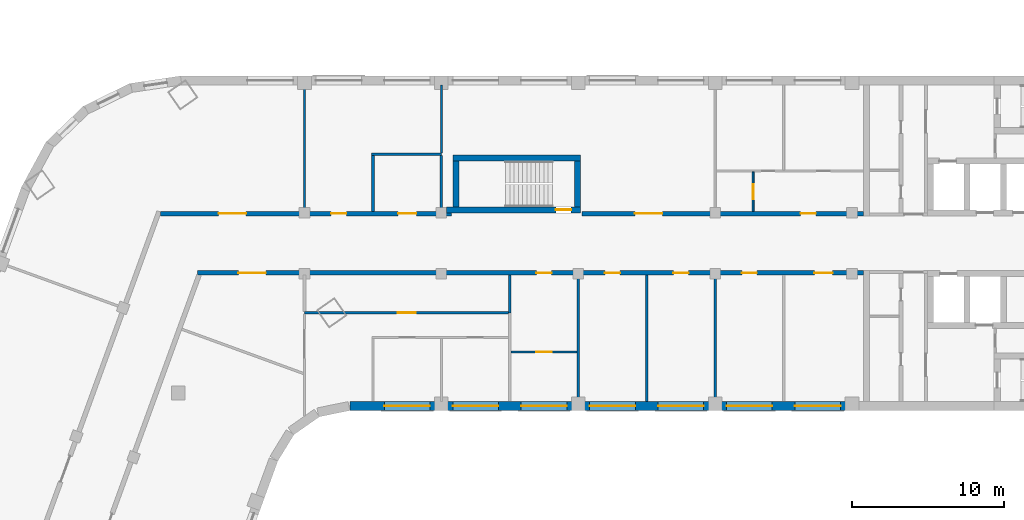
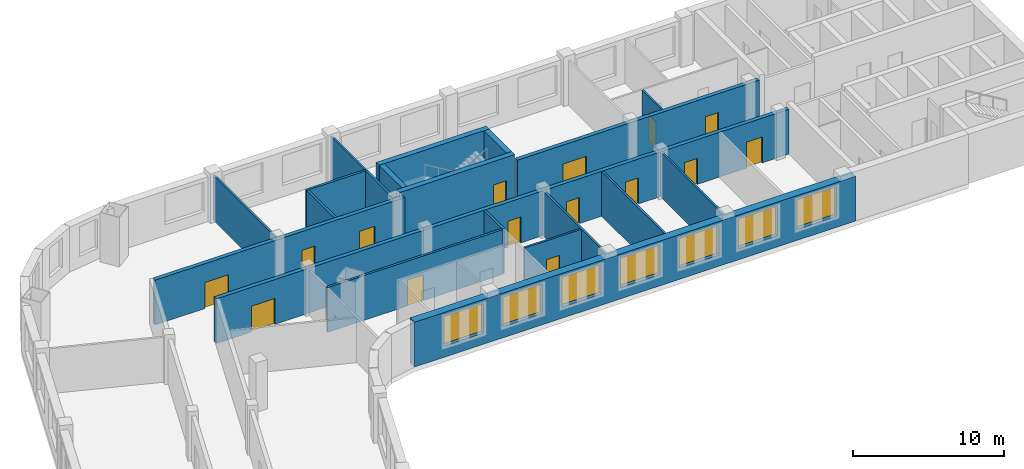
# One storey, part 4 of 12: 20 walls, 15 doors, 7 windows, 22 openings.
"""IFC4 building model written with IfcOpenShell, lengths in metres."""

import ifcopenshell
import ifcopenshell.guid

model = None  # the IFC model being written
_history = None  # IfcOwnerHistory: only IFC2X3 demands one
_inside = {}  # id of a spatial element -> (the spatial element, [elements in it])
_under = {}  # id of a project, library or spatial element -> (it, [spatial elements below it])
_declared = {}  # id of a project -> (the project, [libraries it declares])
_typed = {}  # id of a type object -> (the type object, [elements of that type])
_made_of = {}  # id of a material, layer set ... -> (it, [elements and type objects made of it])


def new_model(schema):
    """Start an empty IFC model of exactly this schema.

    Asked for "IFC4X3", IfcOpenShell would pick the latest addendum, in which some entities
    have other attributes; the version numbers below select the first issue.
    IFC2X3 requires an IfcOwnerHistory on every rooted entity: one is made here for all.
    """
    global model, _history
    if schema == "IFC4X3":
        model = ifcopenshell.file(schema_version=(4, 3, 0, 0))
    else:
        model = ifcopenshell.file(schema=schema)
    _inside.clear()
    _under.clear()
    _declared.clear()
    _typed.clear()
    _made_of.clear()
    _history = None
    if model.schema == "IFC2X3":
        org = make("IfcOrganization", Name="unknown")
        user = make(
            "IfcPersonAndOrganization",
            ThePerson=make("IfcPerson", FamilyName="unknown"),
            TheOrganization=org,
        )
        app = make(
            "IfcApplication",
            ApplicationDeveloper=org,
            Version="unknown",
            ApplicationFullName="unknown",
            ApplicationIdentifier="unknown",
        )
        _history = make(
            "IfcOwnerHistory",
            OwningUser=user,
            OwningApplication=app,
            ChangeAction="ADDED",
            CreationDate=0,
        )
    return model


def make(cls, **values):
    """One entity of the class cls with the attributes given. An attribute that is None is left unset."""
    return model.create_entity(
        cls, **{name: value for name, value in values.items() if value is not None}
    )


def rooted(cls, **values):
    """An entity with a GlobalId (a new one), such as an element, a storey or a relation."""
    return make(cls, GlobalId=ifcopenshell.guid.new(), OwnerHistory=_history, **values)


def si_unit(unit_type, name, prefix=None):
    """IfcSIUnit, for example si_unit("LENGTHUNIT", "METRE", prefix="MILLI")."""
    return make("IfcSIUnit", UnitType=unit_type, Prefix=prefix, Name=name)


def assignment(units):
    """IfcUnitAssignment: the units of a project."""
    return None if units is None else make("IfcUnitAssignment", Units=units)


def point(xyz):
    """IfcCartesianPoint."""
    return None if xyz is None else make("IfcCartesianPoint", Coordinates=xyz)


def direction(xyz):
    """IfcDirection."""
    return None if xyz is None else make("IfcDirection", DirectionRatios=xyz)


def frame(location, z_axis=None, x_axis=None):
    """IfcAxis2Placement3D, a coordinate frame: its origin and axes. An axis left out is left unset."""
    return make(
        "IfcAxis2Placement3D",
        Location=point(location),
        Axis=direction(z_axis),
        RefDirection=direction(x_axis),
    )


def frame_2d(location, x_axis=None):
    """IfcAxis2Placement2D, a coordinate frame in the plane: its origin and x axis."""
    return make(
        "IfcAxis2Placement2D", Location=point(location), RefDirection=direction(x_axis)
    )


def origin():
    """The frame at (0, 0, 0) with its axes left unset."""
    return frame((0.0, 0.0, 0.0))


def place(relative_to, where):
    """IfcLocalPlacement: puts the frame where relative to a parent placement (None: the world)."""
    return make(
        "IfcLocalPlacement", PlacementRelTo=relative_to, RelativePlacement=where
    )


def context(
    kind, dimensions, precision=None, world=None, true_north=None, identifier=None
):
    """IfcGeometricRepresentationContext, for example the 3D "Model" context."""
    return make(
        "IfcGeometricRepresentationContext",
        ContextIdentifier=identifier,
        ContextType=kind,
        CoordinateSpaceDimension=dimensions,
        Precision=precision,
        WorldCoordinateSystem=world,
        TrueNorth=true_north,
    )


def subcontext(parent, identifier, kind, view, scale=None):
    """IfcGeometricRepresentationSubContext, for example "Body" below "Model"."""
    return make(
        "IfcGeometricRepresentationSubContext",
        ContextIdentifier=identifier,
        ContextType=kind,
        ParentContext=parent,
        TargetScale=scale,
        TargetView=view,
    )


def project(units=None, contexts=None):
    """IfcProject with its units and contexts."""
    return rooted(
        "IfcProject",
        Name="project",
        RepresentationContexts=contexts,
        UnitsInContext=assignment(units),
    )


def spatial(cls, under=None, at=None, **own):
    """A site, building, storey or space (cls), placed at a placement, below another one or the project."""
    s = rooted(cls, ObjectPlacement=at, **own)
    if under is not None:
        _under.setdefault(under.id(), (under, []))[1].append(s)
    return s


def profile(cls, at=None, kind="AREA", **sizes):
    """A parametric profile (cls). Its sizes go by their IFC names, for example OverallWidth=200.0."""
    return make(cls, ProfileType=kind, Position=at, **sizes)


def rectangle(**sizes):
    """IfcRectangleProfileDef."""
    return profile("IfcRectangleProfileDef", **sizes)


def extrude(swept, where, along, depth):
    """IfcExtrudedAreaSolid: the profile swept, set in the frame where, extruded along a direction by depth."""
    return make(
        "IfcExtrudedAreaSolid",
        SweptArea=swept,
        Position=where,
        ExtrudedDirection=direction(along),
        Depth=depth,
    )


def shape(context_of_items, identifier, shape_type, items):
    """IfcShapeRepresentation: the items that make up one representation, for example the "Body"."""
    return make(
        "IfcShapeRepresentation",
        ContextOfItems=context_of_items,
        RepresentationIdentifier=identifier,
        RepresentationType=shape_type,
        Items=items,
    )


def material(Name=None, Category=None):
    """IfcMaterial."""
    return make("IfcMaterial", Name=Name, Category=Category)


def layer(
    of_material, thickness, ventilated=None, Name=None, Category=None, Priority=None
):
    """IfcMaterialLayer: one layer of a wall or slab, of a material (None: an air gap)."""
    return make(
        "IfcMaterialLayer",
        Material=of_material,
        LayerThickness=thickness,
        IsVentilated=ventilated,
        Name=Name,
        Category=Category,
        Priority=Priority,
    )


def layer_set(layers, Name=None):
    """IfcMaterialLayerSet."""
    return make("IfcMaterialLayerSet", MaterialLayers=layers, LayerSetName=Name)


def made_of(thing, what):
    """Note that an element or type object is made of a material, layer set ...; save() writes the relation."""
    if what is not None:
        _made_of.setdefault(what.id(), (what, []))[1].append(thing)
    return thing


def type_object(cls, material=None, **own):
    """A type object (cls), such as IfcWallType, which elements share."""
    return made_of(rooted(cls, **own), material)


def element(
    cls,
    number,
    at=None,
    inside=None,
    cuts=None,
    type_object=None,
    material=None,
    context=None,
    identifier="Body",
    shape_type=None,
    held_by="IfcProductDefinitionShape",
    body=None,
    shapes=None,
    **own,
):
    """One element of the class cls, such as IfcWall. Its Tag is "e" and its number.

    at: its placement. inside: the storey or other place that contains it. cuts: it is an
    opening in that element (IfcRelVoidsElement). A single representation is given by context,
    identifier, shape_type and body (its items); several are given by shapes. held_by: the class
    of the entity that holds the representations. save() writes the other relations.
    """
    e = rooted(cls, Tag="e%d" % number, ObjectPlacement=at, **own)
    if body is not None:
        shapes = [shape(context, identifier, shape_type, body)]
    if shapes is not None:
        e.Representation = make(held_by, Representations=shapes)
    if inside is not None:
        _inside.setdefault(inside.id(), (inside, []))[1].append(e)
    if cuts is not None:
        rooted(
            "IfcRelVoidsElement", RelatingBuildingElement=cuts, RelatedOpeningElement=e
        )
    if type_object is not None:
        _typed.setdefault(type_object.id(), (type_object, []))[1].append(e)
    return made_of(e, material)


def fill(opening, filler):
    """IfcRelFillsElement: the door or window that sits in an opening."""
    return rooted(
        "IfcRelFillsElement",
        RelatingOpeningElement=opening,
        RelatedBuildingElement=filler,
    )


def aggregate(whole, parts):
    """IfcRelAggregates: a whole, such as a stair, and the parts it consists of."""
    return rooted("IfcRelAggregates", RelatingObject=whole, RelatedObjects=parts)


def save(model, path):
    """Write the relations noted so far, then the file.

    IfcRelAggregates (storeys below a building ...), IfcRelContainedInSpatialStructure (elements
    in a storey), IfcRelDefinesByType, IfcRelAssociatesMaterial and IfcRelDeclares: one each for
    every whole, place, type object, material and project.
    """
    for whole, parts in _under.values():
        aggregate(whole, parts)
    for where, things in _inside.values():
        rooted(
            "IfcRelContainedInSpatialStructure",
            RelatedElements=things,
            RelatingStructure=where,
        )
    for kind, things in _typed.values():
        rooted("IfcRelDefinesByType", RelatedObjects=things, RelatingType=kind)
    for what, things in _made_of.values():
        rooted("IfcRelAssociatesMaterial", RelatedObjects=things, RelatingMaterial=what)
    for by, libraries in _declared.values():
        rooted("IfcRelDeclares", RelatingContext=by, RelatedDefinitions=libraries)
    model.write(path)


model = new_model("IFC4")

# Units and contexts
model_context = context("Model", 3, precision=1e-05, world=origin(), true_north=direction((0.0, 1.0)))
body_context = subcontext(model_context, "Body", "Model", "MODEL_VIEW")
ifc_project = project(units=[si_unit("LENGTHUNIT", "METRE"), si_unit("AREAUNIT", "SQUARE_METRE"), si_unit("VOLUMEUNIT", "CUBIC_METRE"), si_unit("PLANEANGLEUNIT", "RADIAN"), si_unit("MASSUNIT", "GRAM", prefix="KILO")], contexts=[model_context])

# Site, building, storey
site_placement = place(None, origin())
site = spatial("IfcSite", under=ifc_project, at=site_placement, CompositionType="ELEMENT")
building_placement = place(site_placement, origin())
building = spatial("IfcBuilding", under=site, at=building_placement, Name="Skarvind Civic Tower", CompositionType="ELEMENT")
storey_placement = place(building_placement, frame((0.0, 0.0, 71.5)))
storey = spatial("IfcBuildingStorey", under=building, at=storey_placement, Name="L16", CompositionType="ELEMENT", Elevation=71.5)

# Wall, opening, door
ifc_material_1 = material(Name="Acoustic gypsum board on steel studs", Category="steel")
ifc_layer_1 = layer(ifc_material_1, 0.175048828125)
ifc_layer_set_1 = layer_set([ifc_layer_1], Name="ACOUSTIC MEETING-ROOM PARTITION 175")
wall_type_1 = type_object("IfcWallType", Name="ACOUSTIC MEETING-ROOM PARTITION 175", PredefinedType="PARTITIONING", material=ifc_layer_set_1)
wall_1_placement = place(storey_placement, frame((54.25, 123.429931640625, 0.0), z_axis=(0.0, 0.0, 1.0), x_axis=(1.0, 0.0, 0.0)))
wall_1 = element("IfcWall", 1, at=wall_1_placement, inside=storey, type_object=wall_type_1, Name="Partition 16.010", PredefinedType="PARTITIONING", context=body_context, shape_type="SweptSolid", body=[
    extrude(rectangle(XDim=13.412109375, YDim=0.175048828125, at=frame_2d((6.7060546875, 0.0))), origin(), (0.0, 0.0, 1.0), 3.625),
])
opening_1_placement = place(wall_1_placement, frame((6.115966796875, 0.0, 0.0)))
opening_1 = element("IfcOpeningElement", 2, at=opening_1_placement, cuts=wall_1, Name="Opening L16-D022", PredefinedType="OPENING", context=body_context, shape_type="SweptSolid", body=[
    extrude(rectangle(XDim=1.199951171875, YDim=2.10009765625, at=frame_2d((0.60009765625, 1.050048828125))), frame((0.0, 0.097412109375, 0.0), z_axis=(0.0, -1.0, 0.0), x_axis=(1.0, 0.0, 0.0)), (0.0, 0.0, 1.0), 0.195068359375),
])
ifc_material_2 = material(Name="Timber door leaf", Category="wood")
door_type_1 = type_object("IfcDoorType", Name="DOOR 1200X2100 DOUBLE TIMBER", OperationType="NOTDEFINED", PredefinedType="DOOR", material=ifc_material_2)
door_1_placement = place(opening_1_placement, origin())
door_1 = element("IfcDoor", 3, at=door_1_placement, inside=storey, type_object=door_type_1, Name="Door L16-D022", OperationType="DOUBLE_DOOR_SINGLE_SWING", OverallHeight=2.10009765625, OverallWidth=1.199951171875, PredefinedType="DOOR", context=body_context, shape_type="SweptSolid", body=[
    extrude(rectangle(XDim=1.199951171875, YDim=2.10009765625, at=frame_2d((0.60009765625, 1.050048828125))), frame((0.0, 0.02490234375, 0.0), z_axis=(0.0, -1.0, 0.0), x_axis=(1.0, 0.0, 0.0)), (0.0, 0.0, 1.0), 0.050048828125),
])
fill(opening_1, door_1)

# Walls
wall_2_placement = place(storey_placement, frame((58.75, 130.10009765625, 0.0), z_axis=(0.0, 0.0, 1.0), x_axis=(0.0, 1.0, 0.0)))
element("IfcWall", 4, at=wall_2_placement, inside=storey, type_object=wall_type_1, Name="Partition 16.014", PredefinedType="PARTITIONING", context=body_context, shape_type="SweptSolid", body=[
    extrude(rectangle(XDim=3.661865234375, YDim=0.175048828125, at=frame_2d((1.8310546875, 0.0))), origin(), (0.0, 0.0, 1.0), 3.625),
])
wall_3_placement = place(storey_placement, frame((58.662109375, 133.85009765625, 0.0), z_axis=(0.0, 0.0, 1.0), x_axis=(1.0, 0.0, 0.0)))
element("IfcWall", 5, at=wall_3_placement, inside=storey, type_object=wall_type_1, Name="Partition 16.015", PredefinedType="PARTITIONING", context=body_context, shape_type="SweptSolid", body=[
    extrude(rectangle(XDim=4.587890625, YDim=0.175048828125, at=frame_2d((2.2939453125, 0.0))), origin(), (0.0, 0.0, 1.0), 3.625),
])
wall_4_placement = place(storey_placement, frame((63.25, 130.10009765625, 0.0), z_axis=(0.0, 0.0, 1.0), x_axis=(0.0, 1.0, 0.0)))
element("IfcWall", 6, at=wall_4_placement, inside=storey, type_object=wall_type_1, Name="Partition 16.017", PredefinedType="PARTITIONING", context=body_context, shape_type="SweptSolid", body=[
    extrude(rectangle(XDim=3.677978515625, YDim=0.175048828125, at=frame_2d((1.8388671875, 0.0))), origin(), (0.0, 0.0, 1.0), 3.625),
])
wall_5_placement = place(storey_placement, frame((67.75, 123.429931640625, 0.0), z_axis=(0.0, 0.0, 1.0), x_axis=(0.0, 1.0, 0.0)))
element("IfcWall", 7, at=wall_5_placement, inside=storey, type_object=wall_type_1, Name="Partition 16.021", PredefinedType="PARTITIONING", context=body_context, shape_type="SweptSolid", body=[
    extrude(rectangle(XDim=2.469970703125, YDim=0.175048828125, at=frame_2d((1.23486328125, 0.0))), origin(), (0.0, 0.0, 1.0), 3.625),
])

# Wall, openings, doors
ifc_material_3 = material(Name="Fire-rated gypsum board on steel studs", Category="steel")
ifc_layer_2 = layer(ifc_material_3, 0.300048828125)
ifc_layer_set_2 = layer_set([ifc_layer_2], Name="CORRIDOR WALL 300")
wall_type_2 = type_object("IfcWallType", Name="CORRIDOR WALL 300", PredefinedType="PARTITIONING", material=ifc_layer_set_2)
wall_6_placement = place(storey_placement, frame((44.784912109375, 129.949951171875, 0.0), z_axis=(0.0, 0.0, 1.0), x_axis=(1.0, 0.0, 0.0)))
wall_6 = element("IfcWall", 8, at=wall_6_placement, inside=storey, type_object=wall_type_2, Name="Partition 16.005", PredefinedType="PARTITIONING", context=body_context, shape_type="SweptSolid", body=[
    extrude(rectangle(XDim=19.114990234375, YDim=0.300048828125, at=frame_2d((9.5576171875, 0.0))), origin(), (0.0, 0.0, 1.0), 3.625),
])
opening_2_placement = place(wall_6_placement, frame((15.614990234375, 0.0, 0.0)))
opening_2 = element("IfcOpeningElement", 9, at=opening_2_placement, cuts=wall_6, Name="Opening L16-D006", PredefinedType="OPENING", context=body_context, shape_type="SweptSolid", body=[
    extrude(rectangle(XDim=1.199951171875, YDim=2.10009765625, at=frame_2d((0.60009765625, 1.050048828125))), frame((0.0, 0.159912109375, 0.0), z_axis=(0.0, -1.0, 0.0), x_axis=(1.0, 0.0, 0.0)), (0.0, 0.0, 1.0), 0.320068359375),
])
opening_3_placement = place(wall_6_placement, frame((11.215087890625, 0.0, 0.0)))
opening_3 = element("IfcOpeningElement", 10, at=opening_3_placement, cuts=wall_6, Name="Opening L16-D007", PredefinedType="OPENING", context=body_context, shape_type="SweptSolid", body=[
    extrude(rectangle(XDim=1.0, YDim=2.10009765625, at=frame_2d((0.5, 1.050048828125))), frame((0.0, 0.159912109375, 0.0), z_axis=(0.0, -1.0, 0.0), x_axis=(1.0, 0.0, 0.0)), (0.0, 0.0, 1.0), 0.320068359375),
])
opening_4_placement = place(wall_6_placement, frame((3.822509765625, 0.0, 0.0)))
opening_4 = element("IfcOpeningElement", 11, at=opening_4_placement, cuts=wall_6, Name="Opening L16-D020", PredefinedType="OPENING", context=body_context, shape_type="SweptSolid", body=[
    extrude(rectangle(XDim=1.800048828125, YDim=2.10009765625, at=frame_2d((0.89990234375, 1.050048828125))), frame((0.0, 0.159912109375, 0.0), z_axis=(0.0, -1.0, 0.0), x_axis=(1.0, 0.0, 0.0)), (0.0, 0.0, 1.0), 0.320068359375),
])
ifc_material_4 = material(Name="Fire-rated timber door leaf", Category="wood")
door_type_2 = type_object("IfcDoorType", Name="FD1 1000x2100", OperationType="NOTDEFINED", PredefinedType="DOOR", material=ifc_material_4)
door_2_placement = place(opening_3_placement, origin())
door_2 = element("IfcDoor", 12, at=door_2_placement, inside=storey, type_object=door_type_2, Name="Door L16-D007", OperationType="SINGLE_SWING_LEFT", OverallHeight=2.10009765625, OverallWidth=1.0, PredefinedType="DOOR", context=body_context, shape_type="SweptSolid", body=[
    extrude(rectangle(XDim=1.0, YDim=2.10009765625, at=frame_2d((0.5, 1.050048828125))), frame((0.0, 0.02490234375, 0.0), z_axis=(0.0, -1.0, 0.0), x_axis=(1.0, 0.0, 0.0)), (0.0, 0.0, 1.0), 0.050048828125),
])
fill(opening_3, door_2)
door_type_3 = type_object("IfcDoorType", Name="FD4 1800x2100", OperationType="NOTDEFINED", PredefinedType="DOOR", material=ifc_material_4)
door_3_placement = place(opening_4_placement, origin())
door_3 = element("IfcDoor", 13, at=door_3_placement, inside=storey, type_object=door_type_3, Name="Door L16-D020", OperationType="DOUBLE_DOOR_SINGLE_SWING", OverallHeight=2.10009765625, OverallWidth=1.800048828125, PredefinedType="DOOR", context=body_context, shape_type="SweptSolid", body=[
    extrude(rectangle(XDim=1.800048828125, YDim=2.10009765625, at=frame_2d((0.89990234375, 1.050048828125))), frame((0.0, 0.02490234375, 0.0), z_axis=(0.0, -1.0, 0.0), x_axis=(1.0, 0.0, 0.0)), (0.0, 0.0, 1.0), 0.050048828125),
])
fill(opening_4, door_3)
door_type_4 = type_object("IfcDoorType", Name="FD6 1200x2100 DOUBLE", OperationType="NOTDEFINED", PredefinedType="DOOR", material=ifc_material_4)
door_4_placement = place(opening_2_placement, origin())
door_4 = element("IfcDoor", 14, at=door_4_placement, inside=storey, type_object=door_type_4, Name="Door L16-D006", OperationType="DOUBLE_DOOR_SINGLE_SWING", OverallHeight=2.10009765625, OverallWidth=1.199951171875, PredefinedType="DOOR", context=body_context, shape_type="SweptSolid", body=[
    extrude(rectangle(XDim=1.199951171875, YDim=2.10009765625, at=frame_2d((0.60009765625, 1.050048828125))), frame((0.0, 0.02490234375, 0.0), z_axis=(0.0, -1.0, 0.0), x_axis=(1.0, 0.0, 0.0)), (0.0, 0.0, 1.0), 0.050048828125),
])
fill(opening_2, door_4)

wall_7_placement = place(storey_placement, frame((72.5, 129.949951171875, 0.0), z_axis=(0.0, 0.0, 1.0), x_axis=(1.0, 0.0, 0.0)))
wall_7 = element("IfcWall", 15, at=wall_7_placement, inside=storey, type_object=wall_type_2, Name="Partition 16.023", PredefinedType="PARTITIONING", context=body_context, shape_type="SweptSolid", body=[
    extrude(rectangle(XDim=18.5, YDim=0.300048828125, at=frame_2d((9.25, 0.0))), origin(), (0.0, 0.0, 1.0), 3.625),
])
opening_5_placement = place(wall_7_placement, frame((14.375, 0.0, 0.0)))
opening_5 = element("IfcOpeningElement", 16, at=opening_5_placement, cuts=wall_7, Name="Opening L16-D001", PredefinedType="OPENING", context=body_context, shape_type="SweptSolid", body=[
    extrude(rectangle(XDim=1.0, YDim=2.10009765625, at=frame_2d((0.5, 1.050048828125))), frame((0.0, 0.159912109375, 0.0), z_axis=(0.0, -1.0, 0.0), x_axis=(1.0, 0.0, 0.0)), (0.0, 0.0, 1.0), 0.320068359375),
])
opening_6_placement = place(wall_7_placement, frame((3.47509765625, 0.0, 0.0)))
opening_6 = element("IfcOpeningElement", 17, at=opening_6_placement, cuts=wall_7, Name="Opening L16-D005", PredefinedType="OPENING", context=body_context, shape_type="SweptSolid", body=[
    extrude(rectangle(XDim=1.800048828125, YDim=2.10009765625, at=frame_2d((0.89990234375, 1.050048828125))), frame((0.0, 0.159912109375, 0.0), z_axis=(0.0, -1.0, 0.0), x_axis=(1.0, 0.0, 0.0)), (0.0, 0.0, 1.0), 0.320068359375),
])
door_5_placement = place(opening_5_placement, origin())
door_5 = element("IfcDoor", 18, at=door_5_placement, inside=storey, type_object=door_type_2, Name="Door L16-D001", OperationType="SINGLE_SWING_LEFT", OverallHeight=2.10009765625, OverallWidth=1.0, PredefinedType="DOOR", context=body_context, shape_type="SweptSolid", body=[
    extrude(rectangle(XDim=1.0, YDim=2.10009765625, at=frame_2d((0.5, 1.050048828125))), frame((0.0, 0.02490234375, 0.0), z_axis=(0.0, -1.0, 0.0), x_axis=(1.0, 0.0, 0.0)), (0.0, 0.0, 1.0), 0.050048828125),
])
fill(opening_5, door_5)
door_6_placement = place(opening_6_placement, origin())
door_6 = element("IfcDoor", 19, at=door_6_placement, inside=storey, type_object=door_type_3, Name="Door L16-D005", OperationType="DOUBLE_DOOR_SINGLE_SWING", OverallHeight=2.10009765625, OverallWidth=1.800048828125, PredefinedType="DOOR", context=body_context, shape_type="SweptSolid", body=[
    extrude(rectangle(XDim=1.800048828125, YDim=2.10009765625, at=frame_2d((0.89990234375, 1.050048828125))), frame((0.0, 0.02490234375, 0.0), z_axis=(0.0, -1.0, 0.0), x_axis=(1.0, 0.0, 0.0)), (0.0, 0.0, 1.0), 0.050048828125),
])
fill(opening_6, door_6)

wall_8_placement = place(storey_placement, frame((91.0, 126.050048828125, 0.0), z_axis=(0.0, 0.0, 1.0), x_axis=(-1.0, 0.0, 0.0)))
wall_8 = element("IfcWall", 20, at=wall_8_placement, inside=storey, type_object=wall_type_2, Name="Partition 16.031", PredefinedType="PARTITIONING", context=body_context, shape_type="SweptSolid", body=[
    extrude(rectangle(XDim=43.784912109375, YDim=0.300048828125, at=frame_2d((21.892578125, 0.0))), origin(), (0.0, 0.0, 1.0), 3.625),
])
opening_7_placement = place(wall_8_placement, frame((2.02490234375, 0.0, 0.0)))
opening_7 = element("IfcOpeningElement", 21, at=opening_7_placement, cuts=wall_8, Name="Opening L16-D008", PredefinedType="OPENING", context=body_context, shape_type="SweptSolid", body=[
    extrude(rectangle(XDim=1.199951171875, YDim=2.10009765625, at=frame_2d((0.60009765625, 1.050048828125))), frame((0.0, 0.159912109375, 0.0), z_axis=(0.0, -1.0, 0.0), x_axis=(1.0, 0.0, 0.0)), (0.0, 0.0, 1.0), 0.320068359375),
])
opening_8_placement = place(wall_8_placement, frame((7.0, 0.0, 0.0)))
opening_8 = element("IfcOpeningElement", 22, at=opening_8_placement, cuts=wall_8, Name="Opening L16-D009", PredefinedType="OPENING", context=body_context, shape_type="SweptSolid", body=[
    extrude(rectangle(XDim=1.0, YDim=2.10009765625, at=frame_2d((0.5, 1.050048828125))), frame((0.0, 0.159912109375, 0.0), z_axis=(0.0, -1.0, 0.0), x_axis=(1.0, 0.0, 0.0)), (0.0, 0.0, 1.0), 0.320068359375),
])
opening_9_placement = place(wall_8_placement, frame((11.5, 0.0, 0.0)))
opening_9 = element("IfcOpeningElement", 23, at=opening_9_placement, cuts=wall_8, Name="Opening L16-D010", PredefinedType="OPENING", context=body_context, shape_type="SweptSolid", body=[
    extrude(rectangle(XDim=1.0, YDim=2.10009765625, at=frame_2d((0.5, 1.050048828125))), frame((0.0, 0.159912109375, 0.0), z_axis=(0.0, -1.0, 0.0), x_axis=(1.0, 0.0, 0.0)), (0.0, 0.0, 1.0), 0.320068359375),
])
opening_10_placement = place(wall_8_placement, frame((16.0, 0.0, 0.0)))
opening_10 = element("IfcOpeningElement", 24, at=opening_10_placement, cuts=wall_8, Name="Opening L16-D011", PredefinedType="OPENING", context=body_context, shape_type="SweptSolid", body=[
    extrude(rectangle(XDim=1.0, YDim=2.10009765625, at=frame_2d((0.5, 1.050048828125))), frame((0.0, 0.159912109375, 0.0), z_axis=(0.0, -1.0, 0.0), x_axis=(1.0, 0.0, 0.0)), (0.0, 0.0, 1.0), 0.320068359375),
])
opening_11_placement = place(wall_8_placement, frame((20.5, 0.0, 0.0)))
opening_11 = element("IfcOpeningElement", 25, at=opening_11_placement, cuts=wall_8, Name="Opening L16-D012", PredefinedType="OPENING", context=body_context, shape_type="SweptSolid", body=[
    extrude(rectangle(XDim=1.0, YDim=2.10009765625, at=frame_2d((0.5, 1.050048828125))), frame((0.0, 0.159912109375, 0.0), z_axis=(0.0, -1.0, 0.0), x_axis=(1.0, 0.0, 0.0)), (0.0, 0.0, 1.0), 0.320068359375),
])
opening_12_placement = place(wall_8_placement, frame((39.2958984375, 0.0, 0.0)))
opening_12 = element("IfcOpeningElement", 26, at=opening_12_placement, cuts=wall_8, Name="Opening L16-D021", PredefinedType="OPENING", context=body_context, shape_type="SweptSolid", body=[
    extrude(rectangle(XDim=1.800048828125, YDim=2.10009765625, at=frame_2d((0.89990234375, 1.050048828125))), frame((0.0, 0.159912109375, 0.0), z_axis=(0.0, -1.0, 0.0), x_axis=(1.0, 0.0, 0.0)), (0.0, 0.0, 1.0), 0.320068359375),
])
door_7_placement = place(opening_8_placement, origin())
door_7 = element("IfcDoor", 27, at=door_7_placement, inside=storey, type_object=door_type_2, Name="Door L16-D009", OperationType="SINGLE_SWING_RIGHT", OverallHeight=2.10009765625, OverallWidth=1.0, PredefinedType="DOOR", context=body_context, shape_type="SweptSolid", body=[
    extrude(rectangle(XDim=1.0, YDim=2.10009765625, at=frame_2d((0.5, 1.050048828125))), frame((0.0, 0.02490234375, 0.0), z_axis=(0.0, -1.0, 0.0), x_axis=(1.0, 0.0, 0.0)), (0.0, 0.0, 1.0), 0.050048828125),
])
fill(opening_8, door_7)
door_8_placement = place(opening_9_placement, origin())
door_8 = element("IfcDoor", 28, at=door_8_placement, inside=storey, type_object=door_type_2, Name="Door L16-D010", OperationType="SINGLE_SWING_LEFT", OverallHeight=2.10009765625, OverallWidth=1.0, PredefinedType="DOOR", context=body_context, shape_type="SweptSolid", body=[
    extrude(rectangle(XDim=1.0, YDim=2.10009765625, at=frame_2d((0.5, 1.050048828125))), frame((0.0, 0.02490234375, 0.0), z_axis=(0.0, -1.0, 0.0), x_axis=(1.0, 0.0, 0.0)), (0.0, 0.0, 1.0), 0.050048828125),
])
fill(opening_9, door_8)
door_9_placement = place(opening_10_placement, origin())
door_9 = element("IfcDoor", 29, at=door_9_placement, inside=storey, type_object=door_type_2, Name="Door L16-D011", OperationType="SINGLE_SWING_LEFT", OverallHeight=2.10009765625, OverallWidth=1.0, PredefinedType="DOOR", context=body_context, shape_type="SweptSolid", body=[
    extrude(rectangle(XDim=1.0, YDim=2.10009765625, at=frame_2d((0.5, 1.050048828125))), frame((0.0, 0.02490234375, 0.0), z_axis=(0.0, -1.0, 0.0), x_axis=(1.0, 0.0, 0.0)), (0.0, 0.0, 1.0), 0.050048828125),
])
fill(opening_10, door_9)
door_10_placement = place(opening_11_placement, origin())
door_10 = element("IfcDoor", 30, at=door_10_placement, inside=storey, type_object=door_type_2, Name="Door L16-D012", OperationType="SINGLE_SWING_LEFT", OverallHeight=2.10009765625, OverallWidth=1.0, PredefinedType="DOOR", context=body_context, shape_type="SweptSolid", body=[
    extrude(rectangle(XDim=1.0, YDim=2.10009765625, at=frame_2d((0.5, 1.050048828125))), frame((0.0, 0.02490234375, 0.0), z_axis=(0.0, -1.0, 0.0), x_axis=(1.0, 0.0, 0.0)), (0.0, 0.0, 1.0), 0.050048828125),
])
fill(opening_11, door_10)
door_11_placement = place(opening_12_placement, origin())
door_11 = element("IfcDoor", 31, at=door_11_placement, inside=storey, type_object=door_type_3, Name="Door L16-D021", OperationType="DOUBLE_DOOR_SINGLE_SWING", OverallHeight=2.10009765625, OverallWidth=1.800048828125, PredefinedType="DOOR", context=body_context, shape_type="SweptSolid", body=[
    extrude(rectangle(XDim=1.800048828125, YDim=2.10009765625, at=frame_2d((0.89990234375, 1.050048828125))), frame((0.0, 0.02490234375, 0.0), z_axis=(0.0, -1.0, 0.0), x_axis=(1.0, 0.0, 0.0)), (0.0, 0.0, 1.0), 0.050048828125),
])
fill(opening_12, door_11)
door_12_placement = place(opening_7_placement, origin())
door_12 = element("IfcDoor", 32, at=door_12_placement, inside=storey, type_object=door_type_4, Name="Door L16-D008", OperationType="DOUBLE_DOOR_SINGLE_SWING", OverallHeight=2.10009765625, OverallWidth=1.199951171875, PredefinedType="DOOR", context=body_context, shape_type="SweptSolid", body=[
    extrude(rectangle(XDim=1.199951171875, YDim=2.10009765625, at=frame_2d((0.60009765625, 1.050048828125))), frame((0.0, 0.02490234375, 0.0), z_axis=(0.0, -1.0, 0.0), x_axis=(1.0, 0.0, 0.0)), (0.0, 0.0, 1.0), 0.050048828125),
])
fill(opening_7, door_12)

# Wall, opening, door
ifc_material_5 = material(Name="Concrete C80", Category="concrete")
ifc_layer_3 = layer(ifc_material_5, 0.39990234375)
ifc_layer_set_3 = layer_set([ifc_layer_3], Name="Core wall 400 C80")
wall_type_3 = type_object("IfcWallType", Name="Core wall 400 C80", PredefinedType="SHEAR", material=ifc_layer_set_3)
wall_9_placement = place(storey_placement, frame((63.60009765625, 130.199951171875, 0.0), z_axis=(0.0, 0.0, 1.0), x_axis=(1.0, 0.0, 0.0)))
wall_9 = element("IfcWall", 33, at=wall_9_placement, inside=storey, type_object=wall_type_3, Name="Core wall CM inner L16", PredefinedType="SHEAR", context=body_context, shape_type="SweptSolid", body=[
    extrude(rectangle(XDim=8.7998046875, YDim=0.39990234375, at=frame_2d((4.39990234375, 0.0))), origin(), (0.0, 0.0, 1.0), 4.0),
])
opening_13_placement = place(wall_9_placement, frame((7.175048828125, 0.0, 0.0)))
opening_13 = element("IfcOpeningElement", 34, at=opening_13_placement, cuts=wall_9, Name="Opening D-L16-CM-01", PredefinedType="OPENING", context=body_context, shape_type="SweptSolid", body=[
    extrude(rectangle(XDim=1.0, YDim=2.10009765625, at=frame_2d((0.5, 1.050048828125))), frame((0.0, 0.2099609375, 0.0), z_axis=(0.0, -1.0, 0.0), x_axis=(1.0, 0.0, 0.0)), (0.0, 0.0, 1.0), 0.419921875),
])
ifc_material_6 = material(Name="Fire-rated steel door", Category="steel")
door_type_5 = type_object("IfcDoorType", Name="Fire door 1000", OperationType="NOTDEFINED", PredefinedType="DOOR", material=ifc_material_6)
door_13_placement = place(opening_13_placement, origin())
door_13 = element("IfcDoor", 35, at=door_13_placement, inside=storey, type_object=door_type_5, Name="Fire door", OperationType="SINGLE_SWING_LEFT", OverallHeight=2.10009765625, OverallWidth=1.0, PredefinedType="DOOR", context=body_context, shape_type="SweptSolid", body=[
    extrude(rectangle(XDim=1.0, YDim=2.10009765625, at=frame_2d((0.5, 1.050048828125))), frame((0.0, 0.02490234375, 0.0), z_axis=(0.0, -1.0, 0.0), x_axis=(1.0, 0.0, 0.0)), (0.0, 0.0, 1.0), 0.050048828125),
])
fill(opening_13, door_13)

# Walls
wall_10_placement = place(storey_placement, frame((64.0, 133.60009765625, 0.0), z_axis=(0.0, 0.0, 1.0), x_axis=(1.0, 0.0, 0.0)))
element("IfcWall", 36, at=wall_10_placement, inside=storey, type_object=wall_type_3, Name="Core wall CM outer L16", PredefinedType="SHEAR", context=body_context, shape_type="SweptSolid", body=[
    extrude(rectangle(XDim=8.39990234375, YDim=0.39990234375, at=frame_2d((4.199951171875, 0.0))), origin(), (0.0, 0.0, 1.0), 4.0),
])
for number, where, z_axis, x_axis, name in (
    (37, (64.199951171875, 130.39990234375, 0.0), (0.0, 0.0, 1.0), (0.0, 1.0, 0.0), "Core wall CM west L16"),
    (38, (72.199951171875, 130.39990234375, 0.0), (0.0, 0.0, 1.0), (0.0, 1.0, 0.0), "Core wall CM end L16"),
):
    element("IfcWall", number, at=place(storey_placement, frame(where, z_axis=z_axis, x_axis=x_axis)), inside=storey, type_object=wall_type_3, Name=name, PredefinedType="SHEAR", context=body_context, shape_type="SweptSolid", body=[
        extrude(rectangle(XDim=3.0, YDim=0.39990234375, at=frame_2d((1.5, 0.0))), origin(), (0.0, 0.0, 1.0), 4.0),
    ])
ifc_material_7 = material(Name="Plasterboard partition on steel studs", Category="steel")
ifc_layer_4 = layer(ifc_material_7, 0.14990234375)
ifc_layer_set_4 = layer_set([ifc_layer_4], Name="PARTITION 150")
wall_type_4 = type_object("IfcWallType", Name="PARTITION 150", PredefinedType="PARTITIONING", material=ifc_layer_set_4)
wall_11_placement = place(storey_placement, frame((54.25, 138.39990234375, 0.0), z_axis=(0.0, 0.0, 1.0), x_axis=(0.0, -1.0, 0.0)))
element("IfcWall", 39, at=wall_11_placement, inside=storey, type_object=wall_type_4, Name="Partition 16.011", PredefinedType="PARTITIONING", context=body_context, shape_type="SweptSolid", body=[
    extrude(rectangle(XDim=8.2998046875, YDim=0.14990234375, at=frame_2d((4.14990234375, 0.0))), origin(), (0.0, 0.0, 1.0), 3.625),
])
wall_12_placement = place(storey_placement, frame((63.25, 133.93408203125, 0.0), z_axis=(0.0, 0.0, 1.0), x_axis=(0.0, 1.0, 0.0)))
element("IfcWall", 40, at=wall_12_placement, inside=storey, type_object=wall_type_4, Name="Partition 16.018", PredefinedType="PARTITIONING", context=body_context, shape_type="SweptSolid", body=[
    extrude(rectangle(XDim=4.4658203125, YDim=0.14990234375, at=frame_2d((2.23291015625, 0.0))), origin(), (0.0, 0.0, 1.0), 3.625),
])

# Wall, opening, door
wall_13_placement = place(storey_placement, frame((67.824951171875, 120.85009765625, 0.0), z_axis=(0.0, 0.0, 1.0), x_axis=(1.0, 0.0, 0.0)))
wall_13 = element("IfcWall", 41, at=wall_13_placement, inside=storey, type_object=wall_type_4, Name="Partition 16.020", PredefinedType="PARTITIONING", context=body_context, shape_type="SweptSolid", body=[
    extrude(rectangle(XDim=4.35009765625, YDim=0.14990234375, at=frame_2d((2.175048828125, 0.0))), origin(), (0.0, 0.0, 1.0), 3.625),
])
opening_14_placement = place(wall_13_placement, frame((1.675048828125, 0.0, 0.0)))
opening_14 = element("IfcOpeningElement", 42, at=opening_14_placement, cuts=wall_13, Name="Opening L16-D015", PredefinedType="OPENING", context=body_context, shape_type="SweptSolid", body=[
    extrude(rectangle(XDim=1.0, YDim=2.10009765625, at=frame_2d((0.5, 1.050048828125))), frame((0.0, 0.0849609375, 0.0), z_axis=(0.0, -1.0, 0.0), x_axis=(1.0, 0.0, 0.0)), (0.0, 0.0, 1.0), 0.169921875),
])
door_type_6 = type_object("IfcDoorType", Name="D1 1000x2100", OperationType="NOTDEFINED", PredefinedType="DOOR", material=ifc_material_2)
door_14_placement = place(opening_14_placement, origin())
door_14 = element("IfcDoor", 43, at=door_14_placement, inside=storey, type_object=door_type_6, Name="Door L16-D015", OperationType="SINGLE_SWING_LEFT", OverallHeight=2.10009765625, OverallWidth=1.0, PredefinedType="DOOR", context=body_context, shape_type="SweptSolid", body=[
    extrude(rectangle(XDim=1.0, YDim=2.10009765625, at=frame_2d((0.5, 1.050048828125))), frame((0.0, 0.02490234375, 0.0), z_axis=(0.0, -1.0, 0.0), x_axis=(1.0, 0.0, 0.0)), (0.0, 0.0, 1.0), 0.050048828125),
])
fill(opening_14, door_14)

# Walls
for number, where, z_axis, x_axis, name in (
    (44, (72.25, 117.60009765625, 0.0), (0.0, 0.0, 1.0), (0.0, 1.0, 0.0), "Partition 16.022"),
    (45, (76.75, 117.60009765625, 0.0), (0.0, 0.0, 1.0), (0.0, 1.0, 0.0), "Partition 16.024"),
    (46, (81.25, 117.60009765625, 0.0), (0.0, 0.0, 1.0), (0.0, 1.0, 0.0), "Partition 16.025"),
):
    element("IfcWall", number, at=place(storey_placement, frame(where, z_axis=z_axis, x_axis=x_axis)), inside=storey, type_object=wall_type_4, Name=name, PredefinedType="PARTITIONING", context=body_context, shape_type="SweptSolid", body=[
        extrude(rectangle(XDim=8.2998046875, YDim=0.14990234375, at=frame_2d((4.14990234375, 0.0))), origin(), (0.0, 0.0, 1.0), 3.625),
    ])

# Wall, opening, door
ifc_material_8 = material(Name="Moisture-resistant gypsum board on steel studs", Category="steel")
ifc_layer_5 = layer(ifc_material_8, 0.125)
ifc_layer_set_5 = layer_set([ifc_layer_5], Name="WC PARTITION 125")
wall_type_5 = type_object("IfcWallType", Name="WC PARTITION 125", PredefinedType="PARTITIONING", material=ifc_layer_set_5)
wall_14_placement = place(storey_placement, frame((83.75, 130.10009765625, 0.0), z_axis=(0.0, 0.0, 1.0), x_axis=(0.0, 1.0, 0.0)))
wall_14 = element("IfcWall", 47, at=wall_14_placement, inside=storey, type_object=wall_type_5, Name="Partition 16.028", PredefinedType="PARTITIONING", context=body_context, shape_type="SweptSolid", body=[
    extrude(rectangle(XDim=2.587890625, YDim=0.125, at=frame_2d((1.2939453125, 0.0))), origin(), (0.0, 0.0, 1.0), 3.625),
])
opening_15_placement = place(wall_14_placement, frame((0.7939453125, 0.0, 0.0)))
opening_15 = element("IfcOpeningElement", 48, at=opening_15_placement, cuts=wall_14, Name="Opening L16-D002", PredefinedType="OPENING", context=body_context, shape_type="SweptSolid", body=[
    extrude(rectangle(XDim=1.0, YDim=2.10009765625, at=frame_2d((0.5, 1.050048828125))), frame((0.0, 0.072509765625, 0.0), z_axis=(0.0, -1.0, 0.0), x_axis=(1.0, 0.0, 0.0)), (0.0, 0.0, 1.0), 0.14501953125),
])
door_15_placement = place(opening_15_placement, origin())
door_15 = element("IfcDoor", 49, at=door_15_placement, inside=storey, type_object=door_type_6, Name="Door L16-D002", OperationType="SINGLE_SWING_RIGHT", OverallHeight=2.10009765625, OverallWidth=1.0, PredefinedType="DOOR", context=body_context, shape_type="SweptSolid", body=[
    extrude(rectangle(XDim=1.0, YDim=2.10009765625, at=frame_2d((0.5, 1.050048828125))), frame((0.0, 0.02490234375, 0.0), z_axis=(0.0, -1.0, 0.0), x_axis=(1.0, 0.0, 0.0)), (0.0, 0.0, 1.0), 0.050048828125),
])
fill(opening_15, door_15)

# Wall, openings, windows
ifc_material_9 = material(Name="Limestone masonry cladding on insulated backing", Category="masonry")
ifc_layer_6 = layer(ifc_material_9, 0.60009765625)
ifc_layer_set_6 = layer_set([ifc_layer_6], Name="WX1 STONE FACADE WALL 600")
wall_type_6 = type_object("IfcWallType", Name="WX1 STONE FACADE WALL 600", PredefinedType="SOLIDWALL", material=ifc_layer_set_6)
wall_15_placement = place(storey_placement, frame((90.97998046875, 117.300048828125, 0.0), z_axis=(0.0, 0.0, 1.0), x_axis=(-1.0, 0.0, 0.0)))
wall_15 = element("IfcWall", 50, at=wall_15_placement, inside=storey, type_object=wall_type_6, Name="STONE FACADE WALL", PredefinedType="SOLIDWALL", context=body_context, shape_type="SweptSolid", body=[
    extrude(rectangle(XDim=33.744873046875, YDim=0.60009765625, at=frame_2d((16.87255859375, 0.0))), origin(), (0.0, 0.0, 1.0), 3.625),
])
opening_16_placement = place(wall_15_placement, frame((1.47998046875, 0.0, 0.89990234375)))
opening_16 = element("IfcOpeningElement", 51, at=opening_16_placement, cuts=wall_15, Name="Opening WN1", PredefinedType="OPENING", context=body_context, shape_type="SweptSolid", body=[
    extrude(rectangle(XDim=3.0, YDim=2.39990234375, at=frame_2d((1.5, 1.199951171875))), frame((0.0, 0.31005859375, 0.0), z_axis=(0.0, -1.0, 0.0), x_axis=(1.0, 0.0, 0.0)), (0.0, 0.0, 1.0), 0.6201171875),
])
opening_17_placement = place(wall_15_placement, frame((5.97998046875, 0.0, 0.89990234375)))
opening_17 = element("IfcOpeningElement", 52, at=opening_17_placement, cuts=wall_15, Name="Opening WN1", PredefinedType="OPENING", context=body_context, shape_type="SweptSolid", body=[
    extrude(rectangle(XDim=3.0, YDim=2.39990234375, at=frame_2d((1.5, 1.199951171875))), frame((0.0, 0.31005859375, 0.0), z_axis=(0.0, -1.0, 0.0), x_axis=(1.0, 0.0, 0.0)), (0.0, 0.0, 1.0), 0.6201171875),
])
opening_18_placement = place(wall_15_placement, frame((10.47998046875, 0.0, 0.89990234375)))
opening_18 = element("IfcOpeningElement", 53, at=opening_18_placement, cuts=wall_15, Name="Opening WN1", PredefinedType="OPENING", context=body_context, shape_type="SweptSolid", body=[
    extrude(rectangle(XDim=3.0, YDim=2.39990234375, at=frame_2d((1.5, 1.199951171875))), frame((0.0, 0.31005859375, 0.0), z_axis=(0.0, -1.0, 0.0), x_axis=(1.0, 0.0, 0.0)), (0.0, 0.0, 1.0), 0.6201171875),
])
opening_19_placement = place(wall_15_placement, frame((14.97998046875, 0.0, 0.89990234375)))
opening_19 = element("IfcOpeningElement", 54, at=opening_19_placement, cuts=wall_15, Name="Opening WN1", PredefinedType="OPENING", context=body_context, shape_type="SweptSolid", body=[
    extrude(rectangle(XDim=3.0, YDim=2.39990234375, at=frame_2d((1.5, 1.199951171875))), frame((0.0, 0.31005859375, 0.0), z_axis=(0.0, -1.0, 0.0), x_axis=(1.0, 0.0, 0.0)), (0.0, 0.0, 1.0), 0.6201171875),
])
opening_20_placement = place(wall_15_placement, frame((19.47998046875, 0.0, 0.89990234375)))
opening_20 = element("IfcOpeningElement", 55, at=opening_20_placement, cuts=wall_15, Name="Opening WN1", PredefinedType="OPENING", context=body_context, shape_type="SweptSolid", body=[
    extrude(rectangle(XDim=3.0, YDim=2.39990234375, at=frame_2d((1.5, 1.199951171875))), frame((0.0, 0.31005859375, 0.0), z_axis=(0.0, -1.0, 0.0), x_axis=(1.0, 0.0, 0.0)), (0.0, 0.0, 1.0), 0.6201171875),
])
opening_21_placement = place(wall_15_placement, frame((23.97998046875, 0.0, 0.89990234375)))
opening_21 = element("IfcOpeningElement", 56, at=opening_21_placement, cuts=wall_15, Name="Opening WN1", PredefinedType="OPENING", context=body_context, shape_type="SweptSolid", body=[
    extrude(rectangle(XDim=3.0, YDim=2.39990234375, at=frame_2d((1.5, 1.199951171875))), frame((0.0, 0.31005859375, 0.0), z_axis=(0.0, -1.0, 0.0), x_axis=(1.0, 0.0, 0.0)), (0.0, 0.0, 1.0), 0.6201171875),
])
opening_22_placement = place(wall_15_placement, frame((28.47998046875, 0.0, 0.89990234375)))
opening_22 = element("IfcOpeningElement", 57, at=opening_22_placement, cuts=wall_15, Name="Opening WN1", PredefinedType="OPENING", context=body_context, shape_type="SweptSolid", body=[
    extrude(rectangle(XDim=3.0, YDim=2.39990234375, at=frame_2d((1.5, 1.199951171875))), frame((0.0, 0.31005859375, 0.0), z_axis=(0.0, -1.0, 0.0), x_axis=(1.0, 0.0, 0.0)), (0.0, 0.0, 1.0), 0.6201171875),
])
ifc_material_10 = material(Name="Timber frame, double glazing, timber-lined reveal", Category="wood")
window_type = type_object("IfcWindowType", Name="WN1 PUNCHED STONE WINDOW 3000 x 2400", PartitioningType="SINGLE_PANEL", PredefinedType="WINDOW", material=ifc_material_10)
window_1_placement = place(opening_16_placement, origin())
window_1 = element("IfcWindow", 58, at=window_1_placement, inside=storey, type_object=window_type, Name="WN1 WINDOW", OverallHeight=2.39990234375, OverallWidth=3.0, PartitioningType="SINGLE_PANEL", PredefinedType="WINDOW", context=body_context, shape_type="SweptSolid", body=[
    extrude(rectangle(XDim=3.0, YDim=2.39990234375, at=frame_2d((1.5, 1.199951171875))), frame((0.0, 0.030029296875, 0.0), z_axis=(0.0, -1.0, 0.0), x_axis=(1.0, 0.0, 0.0)), (0.0, 0.0, 1.0), 0.06005859375),
])
fill(opening_16, window_1)
window_2_placement = place(opening_17_placement, origin())
window_2 = element("IfcWindow", 59, at=window_2_placement, inside=storey, type_object=window_type, Name="WN1 WINDOW", OverallHeight=2.39990234375, OverallWidth=3.0, PartitioningType="SINGLE_PANEL", PredefinedType="WINDOW", context=body_context, shape_type="SweptSolid", body=[
    extrude(rectangle(XDim=3.0, YDim=2.39990234375, at=frame_2d((1.5, 1.199951171875))), frame((0.0, 0.030029296875, 0.0), z_axis=(0.0, -1.0, 0.0), x_axis=(1.0, 0.0, 0.0)), (0.0, 0.0, 1.0), 0.06005859375),
])
fill(opening_17, window_2)
window_3_placement = place(opening_18_placement, origin())
window_3 = element("IfcWindow", 60, at=window_3_placement, inside=storey, type_object=window_type, Name="WN1 WINDOW", OverallHeight=2.39990234375, OverallWidth=3.0, PartitioningType="SINGLE_PANEL", PredefinedType="WINDOW", context=body_context, shape_type="SweptSolid", body=[
    extrude(rectangle(XDim=3.0, YDim=2.39990234375, at=frame_2d((1.5, 1.199951171875))), frame((0.0, 0.030029296875, 0.0), z_axis=(0.0, -1.0, 0.0), x_axis=(1.0, 0.0, 0.0)), (0.0, 0.0, 1.0), 0.06005859375),
])
fill(opening_18, window_3)
window_4_placement = place(opening_19_placement, origin())
window_4 = element("IfcWindow", 61, at=window_4_placement, inside=storey, type_object=window_type, Name="WN1 WINDOW", OverallHeight=2.39990234375, OverallWidth=3.0, PartitioningType="SINGLE_PANEL", PredefinedType="WINDOW", context=body_context, shape_type="SweptSolid", body=[
    extrude(rectangle(XDim=3.0, YDim=2.39990234375, at=frame_2d((1.5, 1.199951171875))), frame((0.0, 0.030029296875, 0.0), z_axis=(0.0, -1.0, 0.0), x_axis=(1.0, 0.0, 0.0)), (0.0, 0.0, 1.0), 0.06005859375),
])
fill(opening_19, window_4)
window_5_placement = place(opening_20_placement, origin())
window_5 = element("IfcWindow", 62, at=window_5_placement, inside=storey, type_object=window_type, Name="WN1 WINDOW", OverallHeight=2.39990234375, OverallWidth=3.0, PartitioningType="SINGLE_PANEL", PredefinedType="WINDOW", context=body_context, shape_type="SweptSolid", body=[
    extrude(rectangle(XDim=3.0, YDim=2.39990234375, at=frame_2d((1.5, 1.199951171875))), frame((0.0, 0.030029296875, 0.0), z_axis=(0.0, -1.0, 0.0), x_axis=(1.0, 0.0, 0.0)), (0.0, 0.0, 1.0), 0.06005859375),
])
fill(opening_20, window_5)
window_6_placement = place(opening_21_placement, origin())
window_6 = element("IfcWindow", 63, at=window_6_placement, inside=storey, type_object=window_type, Name="WN1 WINDOW", OverallHeight=2.39990234375, OverallWidth=3.0, PartitioningType="SINGLE_PANEL", PredefinedType="WINDOW", context=body_context, shape_type="SweptSolid", body=[
    extrude(rectangle(XDim=3.0, YDim=2.39990234375, at=frame_2d((1.5, 1.199951171875))), frame((0.0, 0.030029296875, 0.0), z_axis=(0.0, -1.0, 0.0), x_axis=(1.0, 0.0, 0.0)), (0.0, 0.0, 1.0), 0.06005859375),
])
fill(opening_21, window_6)
window_7_placement = place(opening_22_placement, origin())
window_7 = element("IfcWindow", 64, at=window_7_placement, inside=storey, type_object=window_type, Name="WN1 WINDOW", OverallHeight=2.39990234375, OverallWidth=3.0, PartitioningType="SINGLE_PANEL", PredefinedType="WINDOW", context=body_context, shape_type="SweptSolid", body=[
    extrude(rectangle(XDim=3.0, YDim=2.39990234375, at=frame_2d((1.5, 1.199951171875))), frame((0.0, 0.030029296875, 0.0), z_axis=(0.0, -1.0, 0.0), x_axis=(1.0, 0.0, 0.0)), (0.0, 0.0, 1.0), 0.06005859375),
])
fill(opening_22, window_7)

save(model, "model.ifc")
